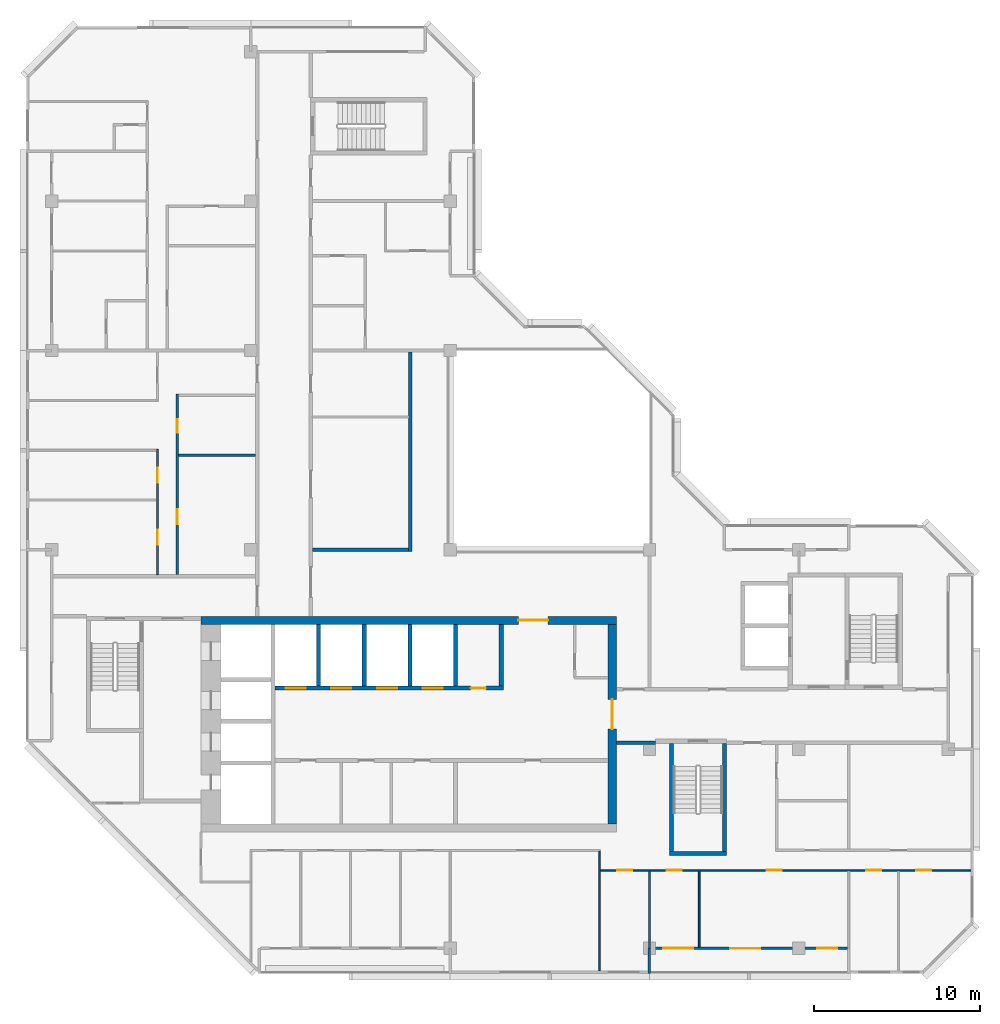
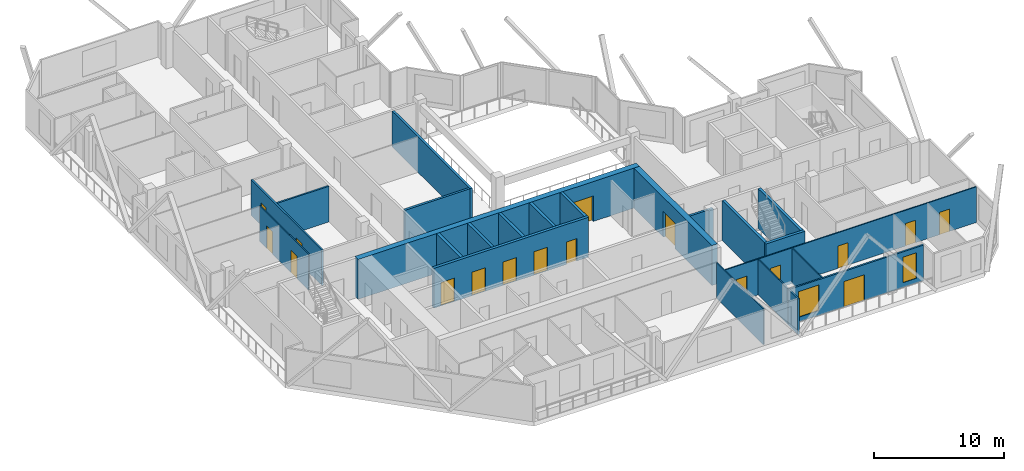
# One storey, part 5 of 11: 23 walls, 17 doors, 2 windows, 19 openings.
"""IFC4 building model written with IfcOpenShell, lengths in metres."""

from ifc_helpers import new_model, si_unit, direction, frame, frame_2d, origin, place, context, subcontext, project, spatial, rectangle, extrude, material, layer, layer_set, type_object, element, fill, save


model = new_model("IFC4")

# Units and contexts
model_context = context("Model", 3, precision=1e-05, world=origin(), true_north=direction((0.0, 1.0)))
body_context = subcontext(model_context, "Body", "Model", "MODEL_VIEW")
ifc_project = project(units=[si_unit("LENGTHUNIT", "METRE"), si_unit("AREAUNIT", "SQUARE_METRE"), si_unit("VOLUMEUNIT", "CUBIC_METRE"), si_unit("PLANEANGLEUNIT", "RADIAN"), si_unit("MASSUNIT", "GRAM", prefix="KILO")], contexts=[model_context])

# Site, building, storey
site_placement = place(None, origin())
site = spatial("IfcSite", under=ifc_project, at=site_placement, CompositionType="ELEMENT")
building_placement = place(site_placement, origin())
building = spatial("IfcBuilding", under=site, at=building_placement, Name="Chenar Terraces", CompositionType="ELEMENT")
storey_placement = place(building_placement, frame((0.0, 0.0, 376.39990234375)))
storey = spatial("IfcBuildingStorey", under=building, at=storey_placement, Name="L88", CompositionType="ELEMENT", Elevation=376.39990234375)

# Wall, openings, doors
ifc_material_1 = material(Name="Concrete C50/60", Category="concrete")
ifc_layer_1 = layer(ifc_material_1, 0.25)
ifc_layer_set_1 = layer_set([ifc_layer_1], Name="Concrete C50/60")
wall_type_1 = type_object("IfcWallType", Name="Core wall 250 Concrete C50/60", PredefinedType="SHEAR", material=ifc_layer_set_1)
wall_1_placement = place(storey_placement, frame((13.449951171875, 15.675048828125, 0.0), z_axis=(0.0, 0.0, 1.0), x_axis=(1.0, 0.0, 0.0)))
wall_1 = element("IfcWall", 1, at=wall_1_placement, inside=storey, type_object=wall_type_1, Name="Core wall NF L88", PredefinedType="SHEAR", context=body_context, shape_type="SweptSolid", body=[
    extrude(rectangle(XDim=13.75, YDim=0.25, at=frame_2d((6.875, 0.0))), origin(), (0.0, 0.0, 1.0), 3.75),
])
opening_1_placement = place(wall_1_placement, frame((0.64990234375, 0.0, 0.0)))
opening_1 = element("IfcOpeningElement", 2, at=opening_1_placement, cuts=wall_1, Name="Opening DL88-LD1", PredefinedType="OPENING", context=body_context, shape_type="SweptSolid", body=[
    extrude(rectangle(XDim=1.199951171875, YDim=2.199951171875, at=frame_2d((0.60009765625, 1.10009765625))), frame((0.0, 0.135009765625, 0.0), z_axis=(0.0, -1.0, 0.0), x_axis=(1.0, 0.0, 0.0)), (0.0, 0.0, 1.0), 0.27001953125),
])
opening_2_placement = place(wall_1_placement, frame((3.39990234375, 0.0, 0.0)))
opening_2 = element("IfcOpeningElement", 3, at=opening_2_placement, cuts=wall_1, Name="Opening DL88-LD2", PredefinedType="OPENING", context=body_context, shape_type="SweptSolid", body=[
    extrude(rectangle(XDim=1.199951171875, YDim=2.199951171875, at=frame_2d((0.60009765625, 1.10009765625))), frame((0.0, 0.135009765625, 0.0), z_axis=(0.0, -1.0, 0.0), x_axis=(1.0, 0.0, 0.0)), (0.0, 0.0, 1.0), 0.27001953125),
])
opening_3_placement = place(wall_1_placement, frame((6.14990234375, 0.0, 0.0)))
opening_3 = element("IfcOpeningElement", 4, at=opening_3_placement, cuts=wall_1, Name="Opening DL88-LD3", PredefinedType="OPENING", context=body_context, shape_type="SweptSolid", body=[
    extrude(rectangle(XDim=1.199951171875, YDim=2.199951171875, at=frame_2d((0.60009765625, 1.10009765625))), frame((0.0, 0.135009765625, 0.0), z_axis=(0.0, -1.0, 0.0), x_axis=(1.0, 0.0, 0.0)), (0.0, 0.0, 1.0), 0.27001953125),
])
opening_4_placement = place(wall_1_placement, frame((8.89990234375, 0.0, 0.0)))
opening_4 = element("IfcOpeningElement", 5, at=opening_4_placement, cuts=wall_1, Name="Opening DL88-LD4", PredefinedType="OPENING", context=body_context, shape_type="SweptSolid", body=[
    extrude(rectangle(XDim=1.199951171875, YDim=2.199951171875, at=frame_2d((0.60009765625, 1.10009765625))), frame((0.0, 0.135009765625, 0.0), z_axis=(0.0, -1.0, 0.0), x_axis=(1.0, 0.0, 0.0)), (0.0, 0.0, 1.0), 0.27001953125),
])
opening_5_placement = place(wall_1_placement, frame((11.800048828125, 0.0, 0.0)))
opening_5 = element("IfcOpeningElement", 6, at=opening_5_placement, cuts=wall_1, Name="Opening DL88-C16", PredefinedType="OPENING", context=body_context, shape_type="SweptSolid", body=[
    extrude(rectangle(XDim=0.89990234375, YDim=2.10009765625, at=frame_2d((0.449951171875, 1.050048828125))), frame((0.0, 0.135009765625, 0.0), z_axis=(0.0, -1.0, 0.0), x_axis=(1.0, 0.0, 0.0)), (0.0, 0.0, 1.0), 0.27001953125),
])
ifc_material_2 = material(Name="Stainless steel", Category="steel")
door_type_1 = type_object("IfcDoorType", Name="Lift landing door 1200 x 2200 sliding", OperationType="DOUBLE_DOOR_SLIDING", PredefinedType="DOOR", material=ifc_material_2)
door_1_placement = place(opening_1_placement, origin())
door_1 = element("IfcDoor", 7, at=door_1_placement, inside=storey, type_object=door_type_1, Name="Landing door H1", OperationType="DOUBLE_DOOR_SLIDING", OverallHeight=2.199951171875, OverallWidth=1.199951171875, PredefinedType="DOOR", context=body_context, shape_type="SweptSolid", body=[
    extrude(rectangle(XDim=1.199951171875, YDim=2.199951171875, at=frame_2d((0.60009765625, 1.10009765625))), frame((0.0, 0.02490234375, 0.0), z_axis=(0.0, -1.0, 0.0), x_axis=(1.0, 0.0, 0.0)), (0.0, 0.0, 1.0), 0.050048828125),
])
fill(opening_1, door_1)
door_2_placement = place(opening_2_placement, origin())
door_2 = element("IfcDoor", 8, at=door_2_placement, inside=storey, type_object=door_type_1, Name="Landing door H2", OperationType="DOUBLE_DOOR_SLIDING", OverallHeight=2.199951171875, OverallWidth=1.199951171875, PredefinedType="DOOR", context=body_context, shape_type="SweptSolid", body=[
    extrude(rectangle(XDim=1.199951171875, YDim=2.199951171875, at=frame_2d((0.60009765625, 1.10009765625))), frame((0.0, 0.02490234375, 0.0), z_axis=(0.0, -1.0, 0.0), x_axis=(1.0, 0.0, 0.0)), (0.0, 0.0, 1.0), 0.050048828125),
])
fill(opening_2, door_2)
door_3_placement = place(opening_3_placement, origin())
door_3 = element("IfcDoor", 9, at=door_3_placement, inside=storey, type_object=door_type_1, Name="Landing door H3", OperationType="DOUBLE_DOOR_SLIDING", OverallHeight=2.199951171875, OverallWidth=1.199951171875, PredefinedType="DOOR", context=body_context, shape_type="SweptSolid", body=[
    extrude(rectangle(XDim=1.199951171875, YDim=2.199951171875, at=frame_2d((0.60009765625, 1.10009765625))), frame((0.0, 0.02490234375, 0.0), z_axis=(0.0, -1.0, 0.0), x_axis=(1.0, 0.0, 0.0)), (0.0, 0.0, 1.0), 0.050048828125),
])
fill(opening_3, door_3)
door_4_placement = place(opening_4_placement, origin())
door_4 = element("IfcDoor", 10, at=door_4_placement, inside=storey, type_object=door_type_1, Name="Landing door H4", OperationType="DOUBLE_DOOR_SLIDING", OverallHeight=2.199951171875, OverallWidth=1.199951171875, PredefinedType="DOOR", context=body_context, shape_type="SweptSolid", body=[
    extrude(rectangle(XDim=1.199951171875, YDim=2.199951171875, at=frame_2d((0.60009765625, 1.10009765625))), frame((0.0, 0.02490234375, 0.0), z_axis=(0.0, -1.0, 0.0), x_axis=(1.0, 0.0, 0.0)), (0.0, 0.0, 1.0), 0.050048828125),
])
fill(opening_4, door_4)
ifc_material_3 = material(Name="Steel-framed fire-resisting door leaf", Category="steel")
door_type_2 = type_object("IfcDoorType", Name="Riser fire door FD60 900 x 2100", OperationType="SINGLE_SWING_LEFT", PredefinedType="DOOR", material=ifc_material_3)
door_5_placement = place(opening_5_placement, origin())
door_5 = element("IfcDoor", 11, at=door_5_placement, inside=storey, type_object=door_type_2, Name="Core room door DL88-C16", OperationType="SINGLE_SWING_RIGHT", OverallHeight=2.10009765625, OverallWidth=0.89990234375, PredefinedType="DOOR", context=body_context, shape_type="SweptSolid", body=[
    extrude(rectangle(XDim=0.89990234375, YDim=2.10009765625, at=frame_2d((0.449951171875, 1.050048828125))), frame((0.0, 0.02490234375, 0.0), z_axis=(0.0, -1.0, 0.0), x_axis=(1.0, 0.0, 0.0)), (0.0, 0.0, 1.0), 0.050048828125),
])
fill(opening_5, door_5)

# Walls
for number, where, z_axis, x_axis, name in (
    (12, (16.074951171875, 15.800048828125, 0.0), (0.0, 0.0, 1.0), (0.0, 1.0, 0.0), "Core wall NS0 L88"),
    (13, (18.824951171875, 15.800048828125, 0.0), (0.0, 0.0, 1.0), (0.0, 1.0, 0.0), "Core wall NS1 L88"),
    (14, (21.574951171875, 15.800048828125, 0.0), (0.0, 0.0, 1.0), (0.0, 1.0, 0.0), "Core wall NS2 L88"),
    (15, (24.324951171875, 15.800048828125, 0.0), (0.0, 0.0, 1.0), (0.0, 1.0, 0.0), "Core wall NS3 L88"),
    (16, (27.074951171875, 15.800048828125, 0.0), (0.0, 0.0, 1.0), (0.0, 1.0, 0.0), "Core wall NE L88"),
):
    element("IfcWall", number, at=place(storey_placement, frame(where, z_axis=z_axis, x_axis=x_axis)), inside=storey, type_object=wall_type_1, Name=name, PredefinedType="SHEAR", context=body_context, shape_type="SweptSolid", body=[
        extrude(rectangle(XDim=3.699951171875, YDim=0.25, at=frame_2d((1.85009765625, 0.0))), origin(), (0.0, 0.0, 1.0), 3.75),
    ])
wall_2_placement = place(storey_placement, frame((37.199951171875, 5.72509765625, 0.0), z_axis=(0.0, 0.0, 1.0), x_axis=(1.0, 0.0, 0.0)))
element("IfcWall", 17, at=wall_2_placement, inside=storey, type_object=wall_type_1, Name="Core wall ST2_S L88", PredefinedType="SHEAR", context=body_context, shape_type="SweptSolid", body=[
    extrude(rectangle(XDim=3.449951171875, YDim=0.25, at=frame_2d((1.72509765625, 0.0))), origin(), (0.0, 0.0, 1.0), 3.75),
])
for number, where, z_axis, x_axis, name in (
    (18, (37.324951171875, 5.85009765625, 0.0), (0.0, 0.0, 1.0), (0.0, 1.0, 0.0), "Core wall ST2_W L88"),
    (19, (40.52490234375, 5.85009765625, 0.0), (0.0, 0.0, 1.0), (0.0, 1.0, 0.0), "Core wall ST2_E L88"),
):
    element("IfcWall", number, at=place(storey_placement, frame(where, z_axis=z_axis, x_axis=x_axis)), inside=storey, type_object=wall_type_1, Name=name, PredefinedType="SHEAR", context=body_context, shape_type="SweptSolid", body=[
        extrude(rectangle(XDim=6.5, YDim=0.25, at=frame_2d((3.25, 0.0))), origin(), (0.0, 0.0, 1.0), 3.75),
    ])

# Wall, opening, door
ifc_material_4 = material(Name="Concrete C50/60", Category="concrete")
ifc_layer_2 = layer(ifc_material_4, 0.5)
ifc_layer_set_2 = layer_set([ifc_layer_2], Name="Concrete C50/60")
wall_type_2 = type_object("IfcWallType", Name="Core wall 500 Concrete C50/60", PredefinedType="SHEAR", material=ifc_layer_set_2)
wall_3_placement = place(storey_placement, frame((9.0, 19.75, 0.0), z_axis=(0.0, 0.0, 1.0), x_axis=(1.0, 0.0, 0.0)))
wall_3 = element("IfcWall", 20, at=wall_3_placement, inside=storey, type_object=wall_type_2, Name="Core wall N L88", PredefinedType="SHEAR", context=body_context, shape_type="SweptSolid", body=[
    extrude(rectangle(XDim=25.0, YDim=0.5, at=frame_2d((12.5, 0.0))), origin(), (0.0, 0.0, 1.0), 3.75),
])
opening_6_placement = place(wall_3_placement, frame((19.10009765625, 0.0, 0.0)))
opening_6 = element("IfcOpeningElement", 21, at=opening_6_placement, cuts=wall_3, Name="Opening DL88-C2", PredefinedType="OPENING", context=body_context, shape_type="SweptSolid", body=[
    extrude(rectangle(XDim=1.800048828125, YDim=2.39990234375, at=frame_2d((0.89990234375, 1.199951171875))), frame((0.0, 0.260009765625, 0.0), z_axis=(0.0, -1.0, 0.0), x_axis=(1.0, 0.0, 0.0)), (0.0, 0.0, 1.0), 0.52001953125),
])
ifc_material_5 = material(Name="Steel-framed fire-resisting door leaf", Category="steel")
door_type_3 = type_object("IfcDoorType", Name="Core entrance double fire door FD60 1800 x 2400", OperationType="DOUBLE_DOOR_SINGLE_SWING", PredefinedType="DOOR", material=ifc_material_5)
door_6_placement = place(opening_6_placement, frame((1.800048828125, 0.0, 0.0), z_axis=(0.0, 0.0, 1.0), x_axis=(-1.0, 0.0, 0.0)))
door_6 = element("IfcDoor", 22, at=door_6_placement, inside=storey, type_object=door_type_3, Name="Core door DL88-C2", OperationType="DOUBLE_DOOR_SINGLE_SWING", OverallHeight=2.39990234375, OverallWidth=1.800048828125, PredefinedType="DOOR", context=body_context, shape_type="SweptSolid", body=[
    extrude(rectangle(XDim=1.800048828125, YDim=2.39990234375, at=frame_2d((0.89990234375, 1.199951171875))), frame((0.0, 0.02490234375, 0.0), z_axis=(0.0, -1.0, 0.0), x_axis=(1.0, 0.0, 0.0)), (0.0, 0.0, 1.0), 0.050048828125),
])
fill(opening_6, door_6)

wall_4_placement = place(storey_placement, frame((33.75, 7.5, 0.0), z_axis=(0.0, 0.0, 1.0), x_axis=(0.0, 1.0, 0.0)))
wall_4 = element("IfcWall", 23, at=wall_4_placement, inside=storey, type_object=wall_type_2, Name="Core wall E L88", PredefinedType="SHEAR", context=body_context, shape_type="SweptSolid", body=[
    extrude(rectangle(XDim=12.0, YDim=0.5, at=frame_2d((6.0, 0.0))), origin(), (0.0, 0.0, 1.0), 3.75),
])
opening_7_placement = place(wall_4_placement, frame((5.699951171875, 0.0, 0.0)))
opening_7 = element("IfcOpeningElement", 24, at=opening_7_placement, cuts=wall_4, Name="Opening DL88-C1", PredefinedType="OPENING", context=body_context, shape_type="SweptSolid", body=[
    extrude(rectangle(XDim=1.800048828125, YDim=2.39990234375, at=frame_2d((0.89990234375, 1.199951171875))), frame((0.0, 0.260009765625, 0.0), z_axis=(0.0, -1.0, 0.0), x_axis=(1.0, 0.0, 0.0)), (0.0, 0.0, 1.0), 0.52001953125),
])
door_7_placement = place(opening_7_placement, origin())
door_7 = element("IfcDoor", 25, at=door_7_placement, inside=storey, type_object=door_type_3, Name="Core door DL88-C1", OperationType="DOUBLE_DOOR_SINGLE_SWING", OverallHeight=2.39990234375, OverallWidth=1.800048828125, PredefinedType="DOOR", context=body_context, shape_type="SweptSolid", body=[
    extrude(rectangle(XDim=1.800048828125, YDim=2.39990234375, at=frame_2d((0.89990234375, 1.199951171875))), frame((0.0, 0.02490234375, 0.0), z_axis=(0.0, -1.0, 0.0), x_axis=(1.0, 0.0, 0.0)), (0.0, 0.0, 1.0), 0.050048828125),
])
fill(opening_7, door_7)

# Walls
ifc_material_6 = material(Name="Gypsum board on steel studs with fire boards", Category="steel")
ifc_layer_3 = layer(ifc_material_6, 0.199951171875)
ifc_layer_set_3 = layer_set([ifc_layer_3], Name="Gypsum board on steel studs with fire boards")
wall_type_3 = type_object("IfcWallType", Name="Corridor wall 200", PredefinedType="PARTITIONING", material=ifc_layer_set_3)
wall_5_placement = place(storey_placement, frame((15.699951171875, 24.0, 0.0), z_axis=(0.0, 0.0, 1.0), x_axis=(1.0, 0.0, 0.0)))
element("IfcWall", 26, at=wall_5_placement, inside=storey, type_object=wall_type_3, Name="Partition L88-033", PredefinedType="PARTITIONING", context=body_context, shape_type="SweptSolid", body=[
    extrude(rectangle(XDim=5.800048828125, YDim=0.199951171875, at=frame_2d((2.89990234375, 0.0))), origin(), (0.0, 0.0, 1.0), 3.35009765625),
])
wall_6_placement = place(storey_placement, frame((21.60009765625, 23.89990234375, 0.0), z_axis=(0.0, 0.0, 1.0), x_axis=(0.0, 1.0, 0.0)))
element("IfcWall", 27, at=wall_6_placement, inside=storey, type_object=wall_type_3, Name="Partition L88-044", PredefinedType="PARTITIONING", context=body_context, shape_type="SweptSolid", body=[
    extrude(rectangle(XDim=12.0, YDim=0.199951171875, at=frame_2d((6.0, 0.0))), origin(), (0.0, 0.0, 1.0), 3.35009765625),
])
wall_7_placement = place(storey_placement, frame((34.0, 12.375, 0.0), z_axis=(0.0, 0.0, 1.0), x_axis=(1.0, 0.0, 0.0)))
element("IfcWall", 28, at=wall_7_placement, inside=storey, type_object=wall_type_3, Name="Partition L88-048", PredefinedType="PARTITIONING", context=body_context, shape_type="SweptSolid", body=[
    extrude(rectangle(XDim=2.3759765625, YDim=0.199951171875, at=frame_2d((1.18798828125, 0.0))), origin(), (0.0, 0.0, 1.0), 3.35009765625),
])

# Wall, openings, windows, door
ifc_material_7 = material(Name="Aluminium framed glazing", Category="aluminium")
ifc_layer_4 = layer(ifc_material_7, 0.14990234375)
ifc_layer_set_4 = layer_set([ifc_layer_4], Name="Aluminium framed glazing")
wall_type_4 = type_object("IfcWallType", Name="Glazed loggia back wall 150", PredefinedType="SOLIDWALL", material=ifc_layer_set_4)
wall_8_placement = place(storey_placement, frame((36.074951171875, 0.0, 0.0), z_axis=(0.0, 0.0, 1.0), x_axis=(1.0, 0.0, 0.0)))
wall_8 = element("IfcWall", 29, at=wall_8_placement, inside=storey, type_object=wall_type_4, Name="Glazed loggia back wall", PredefinedType="SOLIDWALL", context=body_context, shape_type="SweptSolid", body=[
    extrude(rectangle(XDim=11.85009765625, YDim=0.14990234375, at=frame_2d((5.925048828125, 0.0))), origin(), (0.0, 0.0, 1.0), 3.35009765625),
])
opening_8_placement = place(wall_8_placement, frame((0.762451171875, 0.0, 0.449951171875)))
opening_8 = element("IfcOpeningElement", 30, at=opening_8_placement, cuts=wall_8, Name="Opening W180x240", PredefinedType="OPENING", context=body_context, shape_type="SweptSolid", body=[
    extrude(rectangle(XDim=1.800048828125, YDim=2.39990234375, at=frame_2d((0.89990234375, 1.199951171875))), frame((0.0, 0.0849609375, 0.0), z_axis=(0.0, -1.0, 0.0), x_axis=(1.0, 0.0, 0.0)), (0.0, 0.0, 1.0), 0.169921875),
])
opening_9_placement = place(wall_8_placement, frame((4.78759765625, 0.0, 0.0)))
opening_9 = element("IfcOpeningElement", 31, at=opening_9_placement, cuts=wall_8, Name="Opening DL88-G4", PredefinedType="OPENING", context=body_context, shape_type="SweptSolid", body=[
    extrude(rectangle(XDim=1.800048828125, YDim=2.39990234375, at=frame_2d((0.89990234375, 1.199951171875))), frame((0.0, 0.0849609375, 0.0), z_axis=(0.0, -1.0, 0.0), x_axis=(1.0, 0.0, 0.0)), (0.0, 0.0, 1.0), 0.169921875),
])
opening_10_placement = place(wall_8_placement, frame((10.02490234375, 0.0, 0.449951171875)))
opening_10 = element("IfcOpeningElement", 32, at=opening_10_placement, cuts=wall_8, Name="Opening W120x240", PredefinedType="OPENING", context=body_context, shape_type="SweptSolid", body=[
    extrude(rectangle(XDim=1.199951171875, YDim=2.39990234375, at=frame_2d((0.60009765625, 1.199951171875))), frame((0.0, 0.0849609375, 0.0), z_axis=(0.0, -1.0, 0.0), x_axis=(1.0, 0.0, 0.0)), (0.0, 0.0, 1.0), 0.169921875),
])
ifc_material_8 = material(Name="Low emissivity double glazing, aluminium frame", Category="aluminium")
window_type_1 = type_object("IfcWindowType", Name="Fixed light 1200 x 2400", PartitioningType="SINGLE_PANEL", PredefinedType="WINDOW", material=ifc_material_8)
window_1_placement = place(opening_10_placement, origin())
window_1 = element("IfcWindow", 33, at=window_1_placement, inside=storey, type_object=window_type_1, Name="Window", OverallHeight=2.39990234375, OverallWidth=1.199951171875, PartitioningType="SINGLE_PANEL", PredefinedType="WINDOW", context=body_context, shape_type="SweptSolid", body=[
    extrude(rectangle(XDim=1.199951171875, YDim=2.39990234375, at=frame_2d((0.60009765625, 1.199951171875))), frame((0.0, 0.030029296875, 0.0), z_axis=(0.0, -1.0, 0.0), x_axis=(1.0, 0.0, 0.0)), (0.0, 0.0, 1.0), 0.06005859375),
])
fill(opening_10, window_1)
ifc_material_9 = material(Name="Low emissivity double glazing, aluminium frame", Category="aluminium")
window_type_2 = type_object("IfcWindowType", Name="Fixed light 1800 x 2400", PartitioningType="SINGLE_PANEL", PredefinedType="WINDOW", material=ifc_material_9)
window_2_placement = place(opening_8_placement, origin())
window_2 = element("IfcWindow", 34, at=window_2_placement, inside=storey, type_object=window_type_2, Name="Window", OverallHeight=2.39990234375, OverallWidth=1.800048828125, PartitioningType="SINGLE_PANEL", PredefinedType="WINDOW", context=body_context, shape_type="SweptSolid", body=[
    extrude(rectangle(XDim=1.800048828125, YDim=2.39990234375, at=frame_2d((0.89990234375, 1.199951171875))), frame((0.0, 0.030029296875, 0.0), z_axis=(0.0, -1.0, 0.0), x_axis=(1.0, 0.0, 0.0)), (0.0, 0.0, 1.0), 0.06005859375),
])
fill(opening_8, window_2)
ifc_material_10 = material(Name="Low emissivity double glazing, aluminium frame", Category="aluminium")
door_type_4 = type_object("IfcDoorType", Name="Loggia glazed double door 1800 x 2400", OperationType="DOUBLE_DOOR_SINGLE_SWING", PredefinedType="DOOR", material=ifc_material_10)
door_8_placement = place(opening_9_placement, frame((1.800048828125, 0.0, 0.0), z_axis=(0.0, 0.0, 1.0), x_axis=(-1.0, 0.0, 0.0)))
door_8 = element("IfcDoor", 35, at=door_8_placement, inside=storey, type_object=door_type_4, Name="Loggia glazed door", OperationType="DOUBLE_DOOR_SINGLE_SWING", OverallHeight=2.39990234375, OverallWidth=1.800048828125, PredefinedType="DOOR", context=body_context, shape_type="SweptSolid", body=[
    extrude(rectangle(XDim=1.800048828125, YDim=2.39990234375, at=frame_2d((0.89990234375, 1.199951171875))), frame((0.0, 0.02490234375, 0.0), z_axis=(0.0, -1.0, 0.0), x_axis=(1.0, 0.0, 0.0)), (0.0, 0.0, 1.0), 0.050048828125),
])
fill(opening_9, door_8)

# Wall, openings, doors
ifc_material_11 = material(Name="Gypsum board on steel studs", Category="steel")
ifc_layer_5 = layer(ifc_material_11, 0.10009765625)
ifc_layer_set_5 = layer_set([ifc_layer_5], Name="Gypsum board on steel studs")
wall_type_5 = type_object("IfcWallType", Name="Gypsum partition 100", PredefinedType="PARTITIONING", material=ifc_layer_set_5)
wall_9_placement = place(storey_placement, frame((6.375, 22.5, 0.0), z_axis=(0.0, 0.0, 1.0), x_axis=(0.0, 1.0, 0.0)))
wall_9 = element("IfcWall", 36, at=wall_9_placement, inside=storey, type_object=wall_type_5, Name="Partition L88-017", PredefinedType="PARTITIONING", context=body_context, shape_type="SweptSolid", body=[
    extrude(rectangle(XDim=7.550048828125, YDim=0.10009765625, at=frame_2d((3.77490234375, 0.0))), origin(), (0.0, 0.0, 1.0), 3.35009765625),
])
opening_11_placement = place(wall_9_placement, frame((1.800048828125, 0.0, 0.0)))
opening_11 = element("IfcOpeningElement", 37, at=opening_11_placement, cuts=wall_9, Name="Opening DL88-39", PredefinedType="OPENING", context=body_context, shape_type="SweptSolid", body=[
    extrude(rectangle(XDim=0.89990234375, YDim=2.10009765625, at=frame_2d((0.449951171875, 1.050048828125))), frame((0.0, 0.06005859375, 0.0), z_axis=(0.0, -1.0, 0.0), x_axis=(1.0, 0.0, 0.0)), (0.0, 0.0, 1.0), 0.1201171875),
])
opening_12_placement = place(wall_9_placement, frame((5.550048828125, 0.0, 0.0)))
opening_12 = element("IfcOpeningElement", 38, at=opening_12_placement, cuts=wall_9, Name="Opening DL88-40", PredefinedType="OPENING", context=body_context, shape_type="SweptSolid", body=[
    extrude(rectangle(XDim=0.89990234375, YDim=2.10009765625, at=frame_2d((0.449951171875, 1.050048828125))), frame((0.0, 0.06005859375, 0.0), z_axis=(0.0, -1.0, 0.0), x_axis=(1.0, 0.0, 0.0)), (0.0, 0.0, 1.0), 0.1201171875),
])
ifc_material_12 = material(Name="Veneered timber door leaf", Category="wood")
door_type_5 = type_object("IfcDoorType", Name="Door 900 x 2100", OperationType="SINGLE_SWING_LEFT", PredefinedType="DOOR", material=ifc_material_12)
door_9_placement = place(opening_11_placement, origin())
door_9 = element("IfcDoor", 39, at=door_9_placement, inside=storey, type_object=door_type_5, Name="Door DL88-39", OperationType="SINGLE_SWING_RIGHT", OverallHeight=2.10009765625, OverallWidth=0.89990234375, PredefinedType="DOOR", context=body_context, shape_type="SweptSolid", body=[
    extrude(rectangle(XDim=0.89990234375, YDim=2.10009765625, at=frame_2d((0.449951171875, 1.050048828125))), frame((0.0, 0.02490234375, 0.0), z_axis=(0.0, -1.0, 0.0), x_axis=(1.0, 0.0, 0.0)), (0.0, 0.0, 1.0), 0.050048828125),
])
fill(opening_11, door_9)
door_10_placement = place(opening_12_placement, origin())
door_10 = element("IfcDoor", 40, at=door_10_placement, inside=storey, type_object=door_type_5, Name="Door DL88-40", OperationType="SINGLE_SWING_RIGHT", OverallHeight=2.10009765625, OverallWidth=0.89990234375, PredefinedType="DOOR", context=body_context, shape_type="SweptSolid", body=[
    extrude(rectangle(XDim=0.89990234375, YDim=2.10009765625, at=frame_2d((0.449951171875, 1.050048828125))), frame((0.0, 0.02490234375, 0.0), z_axis=(0.0, -1.0, 0.0), x_axis=(1.0, 0.0, 0.0)), (0.0, 0.0, 1.0), 0.050048828125),
])
fill(opening_12, door_10)

# Wall
wall_10_placement = place(storey_placement, frame((33.0, -1.35009765625, 0.0), z_axis=(0.0, 0.0, 1.0), x_axis=(0.0, 1.0, 0.0)))
element("IfcWall", 41, at=wall_10_placement, inside=storey, type_object=wall_type_5, Name="Partition L88-046", PredefinedType="PARTITIONING", context=body_context, shape_type="SweptSolid", body=[
    extrude(rectangle(XDim=7.2001953125, YDim=0.10009765625, at=frame_2d((3.60009765625, 0.0))), origin(), (0.0, 0.0, 1.0), 3.35009765625),
])

# Wall, openings, doors
wall_11_placement = place(storey_placement, frame((33.050048828125, 4.699951171875, 0.0), z_axis=(0.0, 0.0, 1.0), x_axis=(1.0, 0.0, 0.0)))
wall_11 = element("IfcWall", 42, at=wall_11_placement, inside=storey, type_object=wall_type_5, Name="Partition L88-047", PredefinedType="PARTITIONING", context=body_context, shape_type="SweptSolid", body=[
    extrude(rectangle(XDim=22.301025390625, YDim=0.10009765625, at=frame_2d((11.150390625, 0.0))), origin(), (0.0, 0.0, 1.0), 3.35009765625),
])
opening_13_placement = place(wall_11_placement, frame((1.0, 0.0, 0.0)))
opening_13 = element("IfcOpeningElement", 43, at=opening_13_placement, cuts=wall_11, Name="Opening DL88-27", PredefinedType="OPENING", context=body_context, shape_type="SweptSolid", body=[
    extrude(rectangle(XDim=0.89990234375, YDim=2.10009765625, at=frame_2d((0.449951171875, 1.050048828125))), frame((0.0, 0.06005859375, 0.0), z_axis=(0.0, -1.0, 0.0), x_axis=(1.0, 0.0, 0.0)), (0.0, 0.0, 1.0), 0.1201171875),
])
opening_14_placement = place(wall_11_placement, frame((4.0, 0.0, 0.0)))
opening_14 = element("IfcOpeningElement", 44, at=opening_14_placement, cuts=wall_11, Name="Opening DL88-28", PredefinedType="OPENING", context=body_context, shape_type="SweptSolid", body=[
    extrude(rectangle(XDim=0.89990234375, YDim=2.10009765625, at=frame_2d((0.449951171875, 1.050048828125))), frame((0.0, 0.06005859375, 0.0), z_axis=(0.0, -1.0, 0.0), x_axis=(1.0, 0.0, 0.0)), (0.0, 0.0, 1.0), 0.1201171875),
])
opening_15_placement = place(wall_11_placement, frame((16.0, 0.0, 0.0)))
opening_15 = element("IfcOpeningElement", 45, at=opening_15_placement, cuts=wall_11, Name="Opening DL88-29", PredefinedType="OPENING", context=body_context, shape_type="SweptSolid", body=[
    extrude(rectangle(XDim=0.89990234375, YDim=2.10009765625, at=frame_2d((0.449951171875, 1.050048828125))), frame((0.0, 0.06005859375, 0.0), z_axis=(0.0, -1.0, 0.0), x_axis=(1.0, 0.0, 0.0)), (0.0, 0.0, 1.0), 0.1201171875),
])
opening_16_placement = place(wall_11_placement, frame((19.0, 0.0, 0.0)))
opening_16 = element("IfcOpeningElement", 46, at=opening_16_placement, cuts=wall_11, Name="Opening DL88-30", PredefinedType="OPENING", context=body_context, shape_type="SweptSolid", body=[
    extrude(rectangle(XDim=0.89990234375, YDim=2.10009765625, at=frame_2d((0.449951171875, 1.050048828125))), frame((0.0, 0.06005859375, 0.0), z_axis=(0.0, -1.0, 0.0), x_axis=(1.0, 0.0, 0.0)), (0.0, 0.0, 1.0), 0.1201171875),
])
opening_17_placement = place(wall_11_placement, frame((10.0, 0.0, 0.0)))
opening_17 = element("IfcOpeningElement", 47, at=opening_17_placement, cuts=wall_11, Name="Opening DL88-36", PredefinedType="OPENING", context=body_context, shape_type="SweptSolid", body=[
    extrude(rectangle(XDim=0.89990234375, YDim=2.10009765625, at=frame_2d((0.449951171875, 1.050048828125))), frame((0.0, 0.06005859375, 0.0), z_axis=(0.0, -1.0, 0.0), x_axis=(1.0, 0.0, 0.0)), (0.0, 0.0, 1.0), 0.1201171875),
])
door_11_placement = place(opening_13_placement, frame((0.89990234375, 0.0, 0.0), z_axis=(0.0, 0.0, 1.0), x_axis=(-1.0, 0.0, 0.0)))
door_11 = element("IfcDoor", 48, at=door_11_placement, inside=storey, type_object=door_type_5, Name="Door DL88-27", OperationType="SINGLE_SWING_LEFT", OverallHeight=2.10009765625, OverallWidth=0.89990234375, PredefinedType="DOOR", context=body_context, shape_type="SweptSolid", body=[
    extrude(rectangle(XDim=0.89990234375, YDim=2.10009765625, at=frame_2d((0.449951171875, 1.050048828125))), frame((0.0, 0.02490234375, 0.0), z_axis=(0.0, -1.0, 0.0), x_axis=(1.0, 0.0, 0.0)), (0.0, 0.0, 1.0), 0.050048828125),
])
fill(opening_13, door_11)
door_12_placement = place(opening_14_placement, frame((0.89990234375, 0.0, 0.0), z_axis=(0.0, 0.0, 1.0), x_axis=(-1.0, 0.0, 0.0)))
door_12 = element("IfcDoor", 49, at=door_12_placement, inside=storey, type_object=door_type_5, Name="Door DL88-28", OperationType="SINGLE_SWING_LEFT", OverallHeight=2.10009765625, OverallWidth=0.89990234375, PredefinedType="DOOR", context=body_context, shape_type="SweptSolid", body=[
    extrude(rectangle(XDim=0.89990234375, YDim=2.10009765625, at=frame_2d((0.449951171875, 1.050048828125))), frame((0.0, 0.02490234375, 0.0), z_axis=(0.0, -1.0, 0.0), x_axis=(1.0, 0.0, 0.0)), (0.0, 0.0, 1.0), 0.050048828125),
])
fill(opening_14, door_12)
door_13_placement = place(opening_15_placement, frame((0.89990234375, 0.0, 0.0), z_axis=(0.0, 0.0, 1.0), x_axis=(-1.0, 0.0, 0.0)))
door_13 = element("IfcDoor", 50, at=door_13_placement, inside=storey, type_object=door_type_5, Name="Door DL88-29", OperationType="SINGLE_SWING_LEFT", OverallHeight=2.10009765625, OverallWidth=0.89990234375, PredefinedType="DOOR", context=body_context, shape_type="SweptSolid", body=[
    extrude(rectangle(XDim=0.89990234375, YDim=2.10009765625, at=frame_2d((0.449951171875, 1.050048828125))), frame((0.0, 0.02490234375, 0.0), z_axis=(0.0, -1.0, 0.0), x_axis=(1.0, 0.0, 0.0)), (0.0, 0.0, 1.0), 0.050048828125),
])
fill(opening_15, door_13)
door_14_placement = place(opening_16_placement, frame((0.89990234375, 0.0, 0.0), z_axis=(0.0, 0.0, 1.0), x_axis=(-1.0, 0.0, 0.0)))
door_14 = element("IfcDoor", 51, at=door_14_placement, inside=storey, type_object=door_type_5, Name="Door DL88-30", OperationType="SINGLE_SWING_RIGHT", OverallHeight=2.10009765625, OverallWidth=0.89990234375, PredefinedType="DOOR", context=body_context, shape_type="SweptSolid", body=[
    extrude(rectangle(XDim=0.89990234375, YDim=2.10009765625, at=frame_2d((0.449951171875, 1.050048828125))), frame((0.0, 0.02490234375, 0.0), z_axis=(0.0, -1.0, 0.0), x_axis=(1.0, 0.0, 0.0)), (0.0, 0.0, 1.0), 0.050048828125),
])
fill(opening_16, door_14)
door_15_placement = place(opening_17_placement, frame((0.89990234375, 0.0, 0.0), z_axis=(0.0, 0.0, 1.0), x_axis=(-1.0, 0.0, 0.0)))
door_15 = element("IfcDoor", 52, at=door_15_placement, inside=storey, type_object=door_type_5, Name="Door DL88-36", OperationType="SINGLE_SWING_LEFT", OverallHeight=2.10009765625, OverallWidth=0.89990234375, PredefinedType="DOOR", context=body_context, shape_type="SweptSolid", body=[
    extrude(rectangle(XDim=0.89990234375, YDim=2.10009765625, at=frame_2d((0.449951171875, 1.050048828125))), frame((0.0, 0.02490234375, 0.0), z_axis=(0.0, -1.0, 0.0), x_axis=(1.0, 0.0, 0.0)), (0.0, 0.0, 1.0), 0.050048828125),
])
fill(opening_17, door_15)

# Walls
wall_12_placement = place(storey_placement, frame((36.0, 0.0, 0.0), z_axis=(0.0, 0.0, 1.0), x_axis=(0.0, 1.0, 0.0)))
element("IfcWall", 53, at=wall_12_placement, inside=storey, type_object=wall_type_5, Name="Partition L88-050", PredefinedType="PARTITIONING", context=body_context, shape_type="SweptSolid", body=[
    extrude(rectangle(XDim=4.64990234375, YDim=0.10009765625, at=frame_2d((2.324951171875, 0.0))), origin(), (0.0, 0.0, 1.0), 3.35009765625),
])
wall_13_placement = place(storey_placement, frame((39.0, 0.073974609375, 0.0), z_axis=(0.0, 0.0, 1.0), x_axis=(0.0, 1.0, 0.0)))
element("IfcWall", 54, at=wall_13_placement, inside=storey, type_object=wall_type_5, Name="Partition L88-052", PredefinedType="PARTITIONING", context=body_context, shape_type="SweptSolid", body=[
    extrude(rectangle(XDim=4.575927734375, YDim=0.10009765625, at=frame_2d((2.2880859375, 0.0))), origin(), (0.0, 0.0, 1.0), 3.35009765625),
])
ifc_material_13 = material(Name="Terracotta cladding on insulated backing", Category="masonry")
ifc_layer_6 = layer(ifc_material_13, 0.14990234375)
ifc_layer_set_6 = layer_set([ifc_layer_6], Name="Terracotta cladding on insulated backing")
wall_type_6 = type_object("IfcWallType", Name="Loggia return wall 150", PredefinedType="SOLIDWALL", material=ifc_layer_set_6)
wall_14_placement = place(storey_placement, frame((36.0, -1.5, 0.0), z_axis=(0.0, 0.0, 1.0), x_axis=(0.0, 1.0, 0.0)))
element("IfcWall", 55, at=wall_14_placement, inside=storey, type_object=wall_type_6, Name="Loggia return wall", PredefinedType="SOLIDWALL", context=body_context, shape_type="SweptSolid", body=[
    extrude(rectangle(XDim=1.5, YDim=0.14990234375, at=frame_2d((0.75, 0.0))), origin(), (0.0, 0.0, 1.0), 3.35009765625),
])

# Wall, openings, doors
ifc_material_14 = material(Name="Moisture-resistant gypsum board on steel studs", Category="steel")
ifc_layer_7 = layer(ifc_material_14, 0.14990234375)
ifc_layer_set_7 = layer_set([ifc_layer_7], Name="Moisture-resistant gypsum board on steel studs")
wall_type_7 = type_object("IfcWallType", Name="Wet-room partition 150", PredefinedType="PARTITIONING", material=ifc_layer_set_7)
wall_15_placement = place(storey_placement, frame((7.574951171875, 22.5, 0.0), z_axis=(0.0, 0.0, 1.0), x_axis=(0.0, 1.0, 0.0)))
wall_15 = element("IfcWall", 56, at=wall_15_placement, inside=storey, type_object=wall_type_7, Name="Partition L88-022", PredefinedType="PARTITIONING", context=body_context, shape_type="SweptSolid", body=[
    extrude(rectangle(XDim=10.875, YDim=0.14990234375, at=frame_2d((5.4375, 0.0))), origin(), (0.0, 0.0, 1.0), 3.35009765625),
])
opening_18_placement = place(wall_15_placement, frame((8.550048828125, 0.0, 0.0)))
opening_18 = element("IfcOpeningElement", 57, at=opening_18_placement, cuts=wall_15, Name="Opening DL88-38", PredefinedType="OPENING", context=body_context, shape_type="SweptSolid", body=[
    extrude(rectangle(XDim=0.800048828125, YDim=2.10009765625, at=frame_2d((0.39990234375, 1.050048828125))), frame((0.0, 0.0849609375, 0.0), z_axis=(0.0, -1.0, 0.0), x_axis=(1.0, 0.0, 0.0)), (0.0, 0.0, 1.0), 0.169921875),
])
opening_19_placement = place(wall_15_placement, frame((3.050048828125, 0.0, 0.0)))
opening_19 = element("IfcOpeningElement", 58, at=opening_19_placement, cuts=wall_15, Name="Opening DL88-42", PredefinedType="OPENING", context=body_context, shape_type="SweptSolid", body=[
    extrude(rectangle(XDim=0.89990234375, YDim=2.10009765625, at=frame_2d((0.449951171875, 1.050048828125))), frame((0.0, 0.0849609375, 0.0), z_axis=(0.0, -1.0, 0.0), x_axis=(1.0, 0.0, 0.0)), (0.0, 0.0, 1.0), 0.169921875),
])
ifc_material_15 = material(Name="Veneered timber door leaf", Category="wood")
door_type_6 = type_object("IfcDoorType", Name="Door 800 x 2100", OperationType="SINGLE_SWING_LEFT", PredefinedType="DOOR", material=ifc_material_15)
door_16_placement = place(opening_18_placement, frame((0.800048828125, 0.0, 0.0), z_axis=(0.0, 0.0, 1.0), x_axis=(-1.0, 0.0, 0.0)))
door_16 = element("IfcDoor", 59, at=door_16_placement, inside=storey, type_object=door_type_6, Name="Door DL88-38", OperationType="SINGLE_SWING_RIGHT", OverallHeight=2.10009765625, OverallWidth=0.800048828125, PredefinedType="DOOR", context=body_context, shape_type="SweptSolid", body=[
    extrude(rectangle(XDim=0.800048828125, YDim=2.10009765625, at=frame_2d((0.39990234375, 1.050048828125))), frame((0.0, 0.02490234375, 0.0), z_axis=(0.0, -1.0, 0.0), x_axis=(1.0, 0.0, 0.0)), (0.0, 0.0, 1.0), 0.050048828125),
])
fill(opening_18, door_16)
door_17_placement = place(opening_19_placement, frame((0.89990234375, 0.0, 0.0), z_axis=(0.0, 0.0, 1.0), x_axis=(-1.0, 0.0, 0.0)))
door_17 = element("IfcDoor", 60, at=door_17_placement, inside=storey, type_object=door_type_5, Name="Door DL88-42", OperationType="SINGLE_SWING_LEFT", OverallHeight=2.10009765625, OverallWidth=0.89990234375, PredefinedType="DOOR", context=body_context, shape_type="SweptSolid", body=[
    extrude(rectangle(XDim=0.89990234375, YDim=2.10009765625, at=frame_2d((0.449951171875, 1.050048828125))), frame((0.0, 0.02490234375, 0.0), z_axis=(0.0, -1.0, 0.0), x_axis=(1.0, 0.0, 0.0)), (0.0, 0.0, 1.0), 0.050048828125),
])
fill(opening_19, door_17)

# Wall
wall_16_placement = place(storey_placement, frame((7.64990234375, 29.699951171875, 0.0), z_axis=(0.0, 0.0, 1.0), x_axis=(1.0, 0.0, 0.0)))
element("IfcWall", 61, at=wall_16_placement, inside=storey, type_object=wall_type_7, Name="Partition L88-023", PredefinedType="PARTITIONING", context=body_context, shape_type="SweptSolid", body=[
    extrude(rectangle(XDim=4.625, YDim=0.14990234375, at=frame_2d((2.3125, 0.0))), origin(), (0.0, 0.0, 1.0), 3.35009765625),
])

save(model, "model.ifc")
